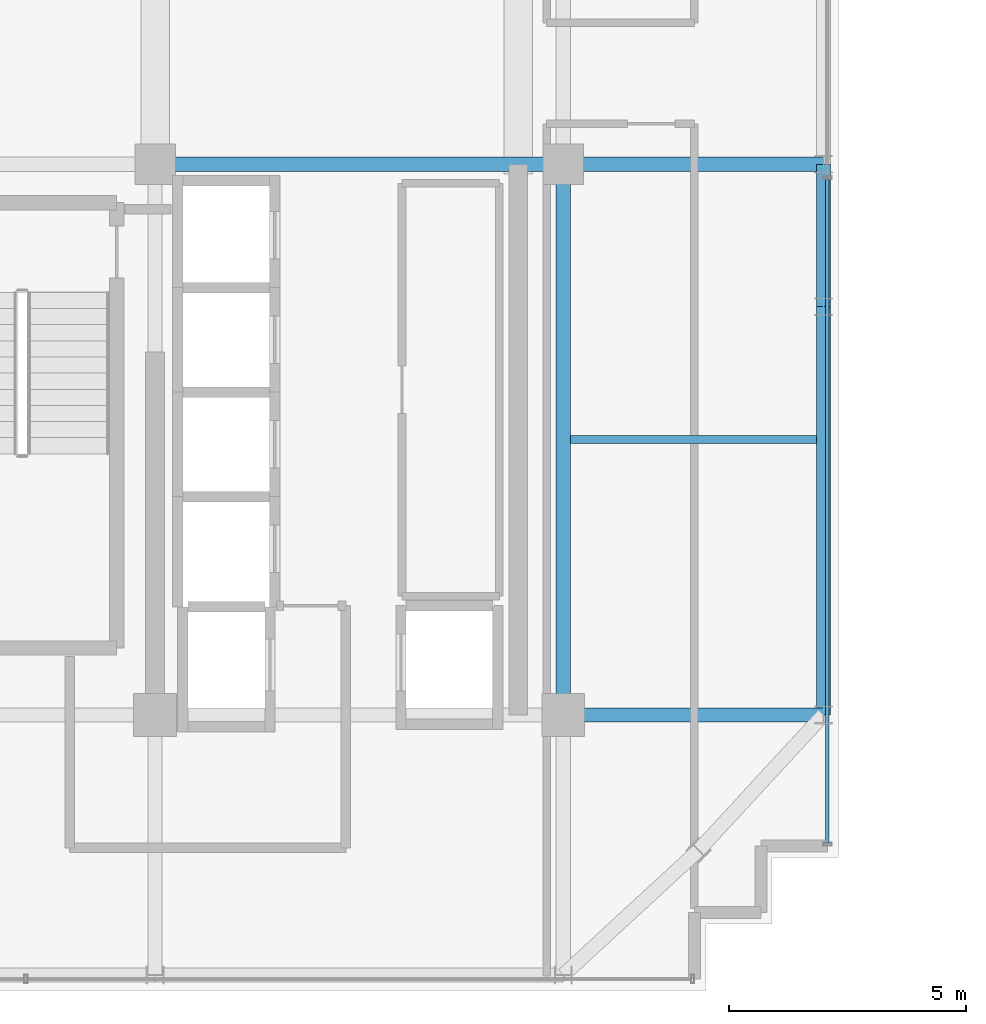
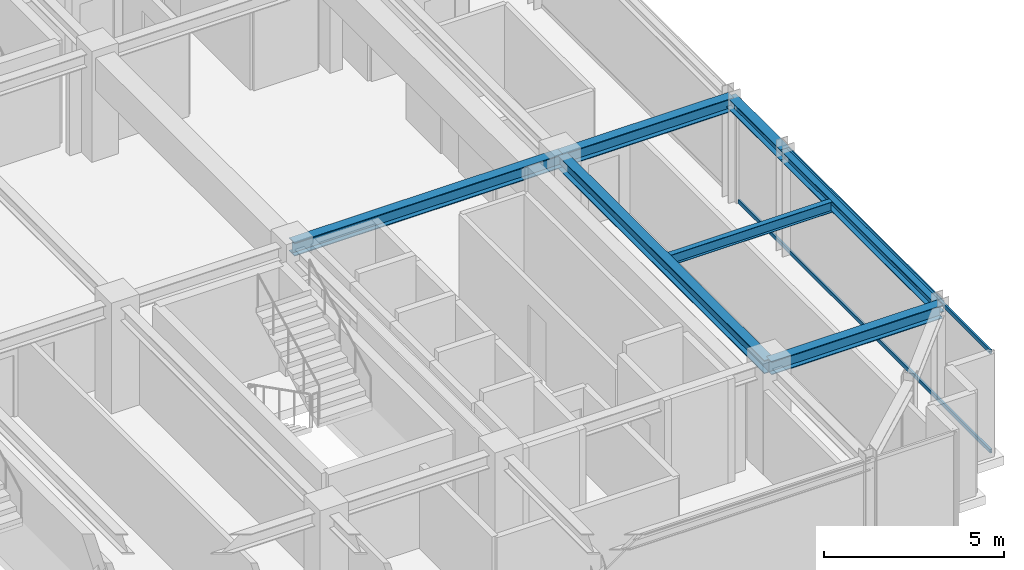
# One storey, part 12 of 32: 7 beams, 2 members, 1 element without a shape of its own.
"""IFC4 building model written with IfcOpenShell, lengths in metres."""

from ifc_helpers import new_model, si_unit, direction, frame, origin, origin_2d, place, context, subcontext, project, spatial, hollow_rectangle, i_section, extrude, source, transform, mapped, material, material_profile, profile_set, type_object, element, aggregate, save


model = new_model("IFC4")

# Units and contexts
model_context = context("Model", 3, precision=1e-05, world=origin(), true_north=direction((0.0, 1.0)))
body_context = subcontext(model_context, "Body", "Model", "MODEL_VIEW")
ifc_project = project(units=[si_unit("LENGTHUNIT", "METRE"), si_unit("AREAUNIT", "SQUARE_METRE"), si_unit("VOLUMEUNIT", "CUBIC_METRE"), si_unit("PLANEANGLEUNIT", "RADIAN"), si_unit("MASSUNIT", "GRAM", prefix="KILO")], contexts=[model_context])

# Site, building, storey
site_placement = place(None, origin())
site = spatial("IfcSite", under=ifc_project, at=site_placement, CompositionType="ELEMENT")
building_placement = place(site_placement, origin())
building = spatial("IfcBuilding", under=site, at=building_placement, Name="Nahalor Promenade Grand Hotel", CompositionType="ELEMENT")
storey_placement = place(building_placement, frame((0.0, 0.0, 330.949951171875)))
storey = spatial("IfcBuildingStorey", under=building, at=storey_placement, Name="L85", CompositionType="ELEMENT", Elevation=330.949951171875)

# Beams
ifc_material_1 = material(Name="Steel S355JR", Category="steel")
ifc_material_profile_1 = material_profile(ifc_material_1, i_section(OverallWidth=0.3, OverallDepth=0.45, WebThickness=0.014, FlangeThickness=0.026, at=origin_2d()), Name="HEB 450")
ifc_profile_set_1 = profile_set([ifc_material_profile_1], Name="Steel S355JR")
beam_type_1 = type_object("IfcBeamType", Name="Beam-Girder-HEB450", PredefinedType="BEAM", material=ifc_profile_set_1)
shared_shape_1 = source(origin(), body_context, "Body", "SweptSolid", [
    extrude(i_section(OverallWidth=0.3, OverallDepth=0.45, WebThickness=0.014, FlangeThickness=0.026, at=origin_2d()), origin(), (0.0, 0.0, 1.0), 8.60009765625),
])
beam_1_placement = place(storey_placement, frame((8.39990234375, -5.39990234375, 3.275146484375), z_axis=(1.0, 0.0, 0.0), x_axis=(0.0, 1.0, 0.0)))
element("IfcBeam", 1, at=beam_1_placement, inside=storey, type_object=beam_type_1, Name="BM-L85-GX-1-5", PredefinedType="BEAM", context=body_context, shape_type="MappedRepresentation", body=[
    mapped(shared_shape_1, transform((0.0, 0.0, 0.0), scale=1.0)),
])
shared_shape_2 = source(origin(), body_context, "Body", "SweptSolid", [
    extrude(i_section(OverallWidth=0.3, OverallDepth=0.45, WebThickness=0.014, FlangeThickness=0.026, at=origin_2d()), origin(), (0.0, 0.0, 1.0), 11.60009765625),
])
beam_2_placement = place(storey_placement, frame((17.0, -17.0, 3.275146484375), z_axis=(0.0, 1.0, 0.0), x_axis=(-1.0, 0.0, 0.0)))
element("IfcBeam", 2, at=beam_2_placement, inside=storey, type_object=beam_type_1, Name="BM-L85-GY-5-1", PredefinedType="BEAM", context=body_context, shape_type="MappedRepresentation", body=[
    mapped(shared_shape_2, transform((0.0, 0.0, 0.0), scale=1.0)),
])
shared_shape_3 = source(origin(), body_context, "Body", "SweptSolid", [
    extrude(i_section(OverallWidth=0.3, OverallDepth=0.45, WebThickness=0.014, FlangeThickness=0.026, at=origin_2d()), origin(), (0.0, 0.0, 1.0), 5.47998046875),
])
for number, where, z_axis, x_axis, name in (
    (3, (17.0, -17.0, 3.275146484375), (1.0, 0.0, 0.0), (0.0, 1.0, 0.0), "BM-L85-GX-0-6"),
    (4, (17.0, -5.39990234375, 3.275146484375), (1.0, 0.0, 0.0), (0.0, 1.0, 0.0), "BM-L85-GX-1-6"),
):
    element("IfcBeam", number, at=place(storey_placement, frame(where, z_axis=z_axis, x_axis=x_axis)), inside=storey, type_object=beam_type_1, Name=name, PredefinedType="BEAM", context=body_context, shape_type="MappedRepresentation", body=[
        mapped(shared_shape_3, transform((0.0, 0.0, 0.0), scale=1.0)),
    ])
ifc_material_profile_2 = material_profile(ifc_material_1, i_section(OverallWidth=0.3, OverallDepth=0.36, WebThickness=0.0125, FlangeThickness=0.0225, at=origin_2d()), Name="HEB 360")
ifc_profile_set_2 = profile_set([ifc_material_profile_2], Name="Steel S355JR")
beam_type_2 = type_object("IfcBeamType", Name="Beam-Spandrel-HEB360", PredefinedType="SPANDREL", material=ifc_profile_set_2)
shared_shape_4 = source(origin(), body_context, "Body", "SweptSolid", [
    extrude(i_section(OverallWidth=0.3, OverallDepth=0.36, WebThickness=0.0125, FlangeThickness=0.0225, at=origin_2d()), origin(), (0.0, 0.0, 1.0), 8.60009765625),
])
beam_3_placement = place(storey_placement, frame((22.47998046875, -17.0, 3.320068359375), z_axis=(0.0, 1.0, 0.0), x_axis=(-1.0, 0.0, 0.0)))
element("IfcBeam", 5, at=beam_3_placement, inside=storey, type_object=beam_type_2, Name="BM-L85-SP-E-0", PredefinedType="SPANDREL", context=body_context, shape_type="MappedRepresentation", body=[
    mapped(shared_shape_4, transform((0.0, 0.0, 0.0), scale=1.0)),
])
shared_shape_5 = source(origin(), body_context, "Body", "SweptSolid", [
    extrude(i_section(OverallWidth=0.3, OverallDepth=0.36, WebThickness=0.0125, FlangeThickness=0.0225, at=origin_2d()), origin(), (0.0, 0.0, 1.0), 3.0),
])
beam_4_placement = place(storey_placement, frame((22.47998046875, -8.39990234375, 3.320068359375), z_axis=(0.0, 1.0, 0.0), x_axis=(-1.0, 0.0, 0.0)))
element("IfcBeam", 6, at=beam_4_placement, inside=storey, type_object=beam_type_2, Name="BM-L85-SP-E-1", PredefinedType="SPANDREL", context=body_context, shape_type="MappedRepresentation", body=[
    mapped(shared_shape_5, transform((0.0, 0.0, 0.0), scale=1.0)),
])
ifc_material_profile_3 = material_profile(ifc_material_1, i_section(OverallWidth=0.17, OverallDepth=0.36, WebThickness=0.008, FlangeThickness=0.0127, at=origin_2d()), Name="IPE 360")
ifc_profile_set_3 = profile_set([ifc_material_profile_3], Name="Steel S355JR")
beam_type_3 = type_object("IfcBeamType", Name="Beam-Joist-IPE360", PredefinedType="JOIST", material=ifc_profile_set_3)
shared_shape_6 = source(origin(), body_context, "Body", "SweptSolid", [
    extrude(i_section(OverallWidth=0.17, OverallDepth=0.36, WebThickness=0.008, FlangeThickness=0.0127, at=origin_2d()), origin(), (0.0, 0.0, 1.0), 5.18017578125),
])
beam_5_placement = place(storey_placement, frame((17.14990234375, -11.199951171875, 3.320068359375), z_axis=(1.0, 0.0, 0.0), x_axis=(0.0, 1.0, 0.0)))
element("IfcBeam", 7, at=beam_5_placement, inside=storey, type_object=beam_type_3, Name="BM-L85-JSE-0-2", PredefinedType="JOIST", context=body_context, shape_type="MappedRepresentation", body=[
    mapped(shared_shape_6, transform((0.0, 0.0, 0.0), scale=1.0)),
])

# Curtain wall, members
ifc_material_2 = material(Name="Anodised Bronze Aluminium EN AW-6063 T6", Category="aluminium")
curtain_wall_type = type_object("IfcCurtainWallType", Name="CW2 Typical Hotel Flush Bronze Unitised Curtain Wall", PredefinedType="USERDEFINED", material=ifc_material_2)
curtain_wall_placement = place(storey_placement, origin())
curtain_wall = element("IfcCurtainWall", 8, at=curtain_wall_placement, inside=storey, type_object=curtain_wall_type, Name="L85 Curtain Wall CW-L85-E-1", ObjectType="UNITISED_CURTAIN_WALL", PredefinedType="USERDEFINED")
ifc_material_profile_4 = material_profile(ifc_material_2, hollow_rectangle(XDim=0.065, YDim=0.13, WallThickness=0.004, at=origin_2d()), Name="CWT 65x130x4")
ifc_profile_set_4 = profile_set([ifc_material_profile_4], Name="Anodised Bronze Aluminium EN AW-6063 T6")
member_type = type_object("IfcMemberType", Name="CWT2 Typical Bronze Transom 65x130", PredefinedType="USERDEFINED", material=ifc_profile_set_4)
shared_shape_7 = source(origin(), body_context, "Body", "SweptSolid", [
    extrude(hollow_rectangle(XDim=0.065, YDim=0.13, WallThickness=0.004, at=origin_2d()), origin(), (0.0, 0.0, 1.0), 13.982666015625),
])
member_1_placement = place(storey_placement, frame((22.56005859375, -19.695068359375, 0.06494140625), z_axis=(0.0, 1.0, 0.0), x_axis=(-1.0, 0.0, 0.0)))
member_1 = element("IfcMember", 9, at=member_1_placement, type_object=member_type, Name="CW-L85-E-1 Transom 0-0", ObjectType="TRANSOM", PredefinedType="USERDEFINED", context=body_context, shape_type="MappedRepresentation", body=[
    mapped(shared_shape_7, transform((0.0, 0.0, 0.0), scale=1.0)),
])
member_2_placement = place(storey_placement, frame((22.56005859375, -19.695068359375, 3.43505859375), z_axis=(0.0, 1.0, 0.0), x_axis=(-1.0, 0.0, 0.0)))
member_2 = element("IfcMember", 10, at=member_2_placement, type_object=member_type, Name="CW-L85-E-1 Transom 0-1", ObjectType="TRANSOM", PredefinedType="USERDEFINED", context=body_context, shape_type="MappedRepresentation", body=[
    mapped(shared_shape_7, transform((0.0, 0.0, 0.0), scale=1.0)),
])
aggregate(curtain_wall, [member_1, member_2])

save(model, "model.ifc")
